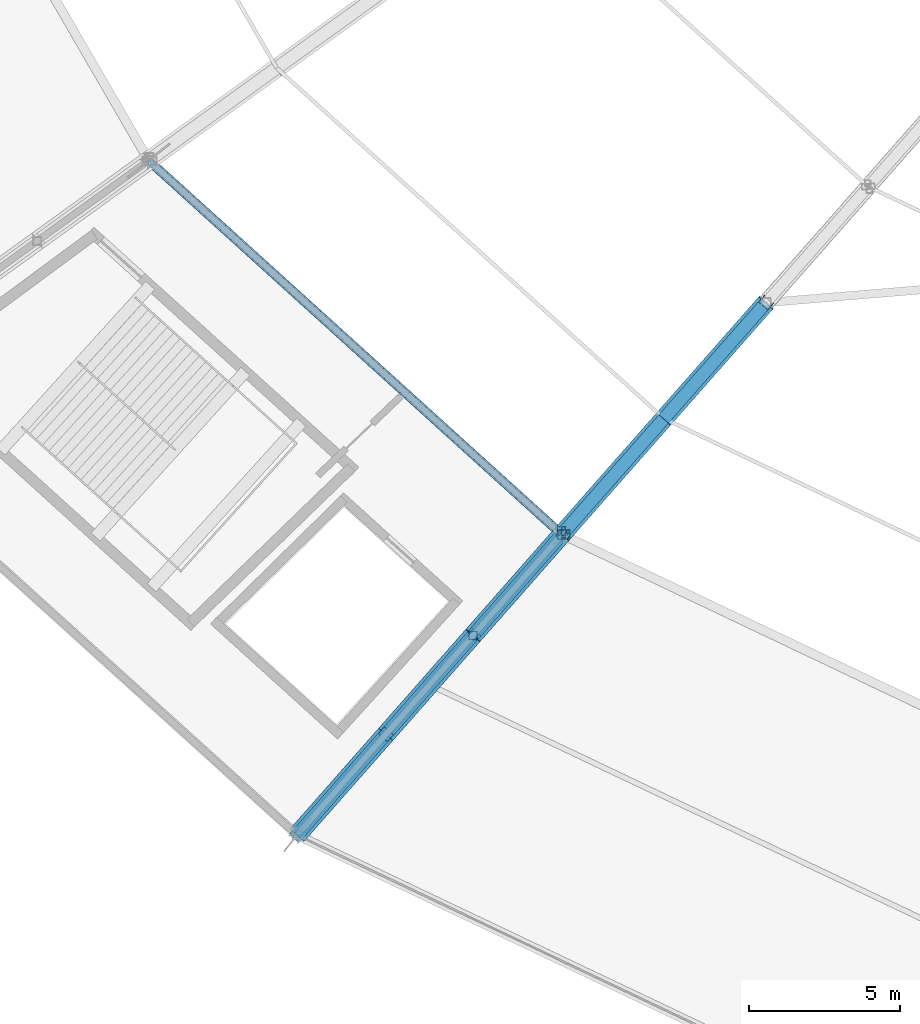
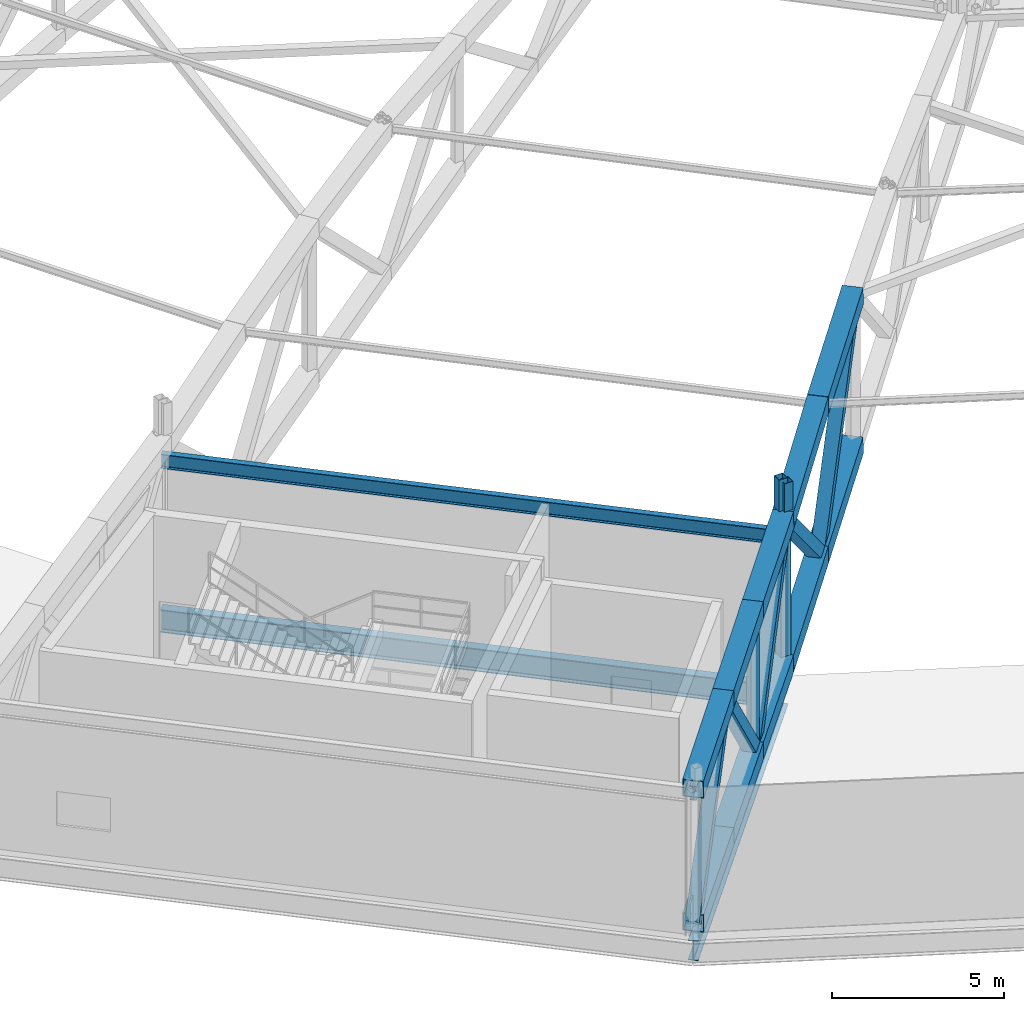
# One storey, part 17 of 162: 19 members, 4 beams.
"""IFC4 building model written with IfcOpenShell, lengths in metres."""

from ifc_helpers import new_model, si_unit, direction, frame, origin, origin_2d, place, context, subcontext, project, spatial, hollow_rectangle, i_section, extrude, material, material_profile, profile_set, type_object, element, save


model = new_model("IFC4")

# Units and contexts
model_context = context("Model", 3, precision=1e-05, world=origin(), true_north=direction((0.0, 1.0)))
body_context = subcontext(model_context, "Body", "Model", "MODEL_VIEW")
ifc_project = project(units=[si_unit("LENGTHUNIT", "METRE"), si_unit("AREAUNIT", "SQUARE_METRE"), si_unit("VOLUMEUNIT", "CUBIC_METRE"), si_unit("PLANEANGLEUNIT", "RADIAN"), si_unit("MASSUNIT", "GRAM", prefix="KILO")], contexts=[model_context])

# Site, building, storey
site_placement = place(None, origin())
site = spatial("IfcSite", under=ifc_project, at=site_placement, CompositionType="ELEMENT")
building_placement = place(site_placement, origin())
building = spatial("IfcBuilding", under=site, at=building_placement, Name="Kazemori Nagisa Stadium", CompositionType="ELEMENT")
storey_placement = place(building_placement, frame((0.0, 0.0, 36.719970703125)))
storey = spatial("IfcBuildingStorey", under=building, at=storey_placement, Name="RF", CompositionType="ELEMENT", Elevation=36.719970703125)

# Beams
ifc_material_1 = material(Name="Steel SN490B", Category="steel")
ifc_material_profile_1 = material_profile(ifc_material_1, i_section(OverallWidth=0.199951171875, OverallDepth=0.5, WebThickness=0.010009765625, FlangeThickness=0.01611328125, FilletRadius=0.012939453125, at=origin_2d()), Name="H-500x200x10x16")
ifc_profile_set_1 = profile_set([ifc_material_profile_1], Name="Steel SN490B")
beam_type_1 = type_object("IfcBeamType", Name="Beam_BG-H500", PredefinedType="BEAM", material=ifc_profile_set_1)
beam_1_placement = place(storey_placement, frame((55.493896484375, 53.265869140625, 4.93994140625), z_axis=(0.741349142139, -0.671119549298, 0.0), x_axis=(0.671119549298, 0.741349142139, 0.0)))
element("IfcBeam", 1, at=beam_1_placement, inside=storey, type_object=beam_type_1, Name="Headhouse roof beam BG-H500 B18-in", PredefinedType="BEAM", context=body_context, shape_type="SweptSolid", body=[
    extrude(i_section(OverallWidth=0.199951171875, OverallDepth=0.5, WebThickness=0.010009765625, FlangeThickness=0.01611328125, FilletRadius=0.012939453125, at=origin_2d()), origin(), (0.0, 0.0, 1.0), 18.44189453125),
])
beam_2_placement = place(storey_placement, frame((69.165771484375, 40.88916015625, 4.93994140625), z_axis=(-0.661019680997, -0.750368563664, 0.0), x_axis=(0.750368563664, -0.661019680997, 0.0)))
element("IfcBeam", 2, at=beam_2_placement, inside=storey, type_object=beam_type_1, Name="Headhouse roof beam BG-H500 B18-radR", PredefinedType="BEAM", context=body_context, shape_type="SweptSolid", body=[
    extrude(i_section(OverallWidth=0.199951171875, OverallDepth=0.5, WebThickness=0.010009765625, FlangeThickness=0.01611328125, FilletRadius=0.012939453125, at=origin_2d()), origin(), (0.0, 0.0, 1.0), 13.2578125),
])
ifc_material_profile_2 = material_profile(ifc_material_1, i_section(OverallWidth=0.300048828125, OverallDepth=0.699951171875, WebThickness=0.012939453125, FlangeThickness=0.02392578125, FilletRadius=0.01806640625, at=origin_2d()), Name="H-700x300x13x24")
ifc_profile_set_2 = profile_set([ifc_material_profile_2], Name="Steel SN490B")
beam_type_2 = type_object("IfcBeamType", Name="Beam_BG-H700", PredefinedType="BEAM", material=ifc_profile_set_2)
beam_3_placement = place(storey_placement, frame((69.165771484375, 40.88916015625, -0.6298828125), z_axis=(-0.661019680997, -0.750368563664, 0.0), x_axis=(0.750368563664, -0.661019680997, 0.0)))
element("IfcBeam", 3, at=beam_3_placement, inside=storey, type_object=beam_type_2, Name="Radial girder BG-H700 RF R2-R3-19", PredefinedType="BEAM", context=body_context, shape_type="SweptSolid", body=[
    extrude(i_section(OverallWidth=0.300048828125, OverallDepth=0.699951171875, WebThickness=0.012939453125, FlangeThickness=0.02392578125, FilletRadius=0.01806640625, at=origin_2d()), origin(), (0.0, 0.0, 1.0), 13.2578125),
])
ifc_material_profile_3 = material_profile(ifc_material_1, i_section(OverallWidth=0.300048828125, OverallDepth=0.800048828125, WebThickness=0.013916015625, FlangeThickness=0.02587890625, FilletRadius=0.01806640625, at=origin_2d()), Name="H-800x300x14x26")
ifc_profile_set_3 = profile_set([ifc_material_profile_3], Name="Steel SN490B")
beam_type_3 = type_object("IfcBeamType", Name="Beam_BG-H800", PredefinedType="BEAM", material=ifc_profile_set_3)
beam_4_placement = place(storey_placement, frame((55.493896484375, 53.265869140625, -0.679931640625), z_axis=(0.741349142139, -0.671119549298, 0.0), x_axis=(0.671119549298, 0.741349142139, 0.0)))
element("IfcBeam", 4, at=beam_4_placement, inside=storey, type_object=beam_type_3, Name="Ring girder BG-H800 RF R2-18", PredefinedType="BEAM", context=body_context, shape_type="SweptSolid", body=[
    extrude(i_section(OverallWidth=0.300048828125, OverallDepth=0.800048828125, WebThickness=0.013916015625, FlangeThickness=0.02587890625, FilletRadius=0.01806640625, at=origin_2d()), origin(), (0.0, 0.0, 1.0), 18.44189453125),
])

# Members
ifc_material_2 = material(Name="Steel STKR490", Category="steel")
ifc_material_profile_4 = material_profile(ifc_material_2, hollow_rectangle(XDim=0.280029296875, YDim=0.280029296875, WallThickness=0.010009765625, at=origin_2d()), Name="SHS-280x280x10")
ifc_profile_set_4 = profile_set([ifc_material_profile_4], Name="Steel STKR490")
member_type_1 = type_object("IfcMemberType", Name="Member_ST-SHS280", PredefinedType="STUD", material=ifc_profile_set_4)
member_1_placement = place(storey_placement, frame((69.154052734375, 41.0087890625, 5.56005859375), z_axis=(0.0, 0.0, 1.0), x_axis=(1.0, 0.0, 0.0)))
element("IfcMember", 5, at=member_1_placement, inside=storey, type_object=member_type_1, Name="Canopy bearing stool B18-mid-2", PredefinedType="STUD", context=body_context, shape_type="SweptSolid", body=[
    extrude(hollow_rectangle(XDim=0.280029296875, YDim=0.280029296875, WallThickness=0.010009765625, at=origin_2d()), origin(), (0.0, 0.0, 1.0), 1.427001953125),
])
member_2_placement = place(storey_placement, frame((69.2841796875, 40.90869140625, 5.56005859375), z_axis=(0.0, 0.0, 1.0), x_axis=(1.0, 0.0, 0.0)))
element("IfcMember", 6, at=member_2_placement, inside=storey, type_object=member_type_1, Name="Canopy bearing stool B19-mid-1", PredefinedType="STUD", context=body_context, shape_type="SweptSolid", body=[
    extrude(hollow_rectangle(XDim=0.280029296875, YDim=0.280029296875, WallThickness=0.010009765625, at=origin_2d()), origin(), (0.0, 0.0, 1.0), 1.31201171875),
])
ifc_material_profile_5 = material_profile(ifc_material_2, hollow_rectangle(XDim=0.419921875, YDim=0.419921875, WallThickness=0.01611328125, at=origin_2d()), Name="SHS-420x420x16")
ifc_profile_set_5 = profile_set([ifc_material_profile_5], Name="Steel STKR490")
member_type_2 = type_object("IfcMemberType", Name="Member_TB-SHS420", PredefinedType="BRACE", material=ifc_profile_set_5)
member_3_placement = place(storey_placement, frame((60.402099609375, 30.94091796875, 0.360107421875), z_axis=(0.444455255531, 0.50453471875, 0.740205541324), x_axis=(-0.750370654853, 0.661017307137, 0.0)))
element("IfcMember", 7, at=member_3_placement, inside=storey, type_object=member_type_2, Name="Roof space truss diagonal RT-19-1", PredefinedType="BRACE", context=body_context, shape_type="SweptSolid", body=[
    extrude(hollow_rectangle(XDim=0.419921875, YDim=0.419921875, WallThickness=0.01611328125, at=origin_2d()), origin(), (0.0, 0.0, 1.0), 6.61962890625),
])
member_4_placement = place(storey_placement, frame((63.34423828125, 34.28076171875, 5.260009765625), z_axis=(0.443198776891, 0.503136206867, -0.741908890297), x_axis=(-0.750388778691, 0.660996732832, 0.0)))
element("IfcMember", 8, at=member_4_placement, inside=storey, type_object=member_type_2, Name="Roof space truss diagonal RT-19-2", PredefinedType="BRACE", context=body_context, shape_type="SweptSolid", body=[
    extrude(hollow_rectangle(XDim=0.419921875, YDim=0.419921875, WallThickness=0.01611328125, at=origin_2d()), origin(), (0.0, 0.0, 1.0), 6.496826171875),
])
member_5_placement = place(storey_placement, frame((66.2236328125, 37.549560546875, 0.43994140625), z_axis=(0.43367823745, 0.492264924909, 0.754717450485), x_axis=(-0.750346686278, 0.661044514682, 0.0)))
element("IfcMember", 9, at=member_5_placement, inside=storey, type_object=member_type_2, Name="Roof space truss diagonal RT-19-3", PredefinedType="BRACE", context=body_context, shape_type="SweptSolid", body=[
    extrude(hollow_rectangle(XDim=0.419921875, YDim=0.419921875, WallThickness=0.01611328125, at=origin_2d()), origin(), (0.0, 0.0, 1.0), 6.7841796875),
])
member_6_placement = place(storey_placement, frame((69.165771484375, 40.88916015625, 5.56005859375), z_axis=(0.484885580838, 0.550442839781, -0.679631262987), x_axis=(-0.750378163683, 0.661008783201, 0.0)))
element("IfcMember", 10, at=member_6_placement, inside=storey, type_object=member_type_2, Name="Roof space truss diagonal RT-19-4", PredefinedType="BRACE", context=body_context, shape_type="SweptSolid", body=[
    extrude(hollow_rectangle(XDim=0.419921875, YDim=0.419921875, WallThickness=0.01611328125, at=origin_2d()), origin(), (0.0, 0.0, 1.0), 6.971435546875),
])
member_7_placement = place(storey_placement, frame((72.546142578125, 44.7265625, 0.822021484375), z_axis=(0.443510476123, 0.503478089796, 0.741490573551), x_axis=(-0.750380984059, 0.661005581491, 0.0)))
element("IfcMember", 11, at=member_7_placement, inside=storey, type_object=member_type_2, Name="Roof space truss diagonal RT-19-5", PredefinedType="BRACE", context=body_context, shape_type="SweptSolid", body=[
    extrude(hollow_rectangle(XDim=0.419921875, YDim=0.419921875, WallThickness=0.01611328125, at=origin_2d()), origin(), (0.0, 0.0, 1.0), 7.621337890625),
])
ifc_material_profile_6 = material_profile(ifc_material_2, hollow_rectangle(XDim=0.6201171875, YDim=0.6201171875, WallThickness=0.02197265625, at=origin_2d()), Name="SHS-620x620x22")
ifc_profile_set_6 = profile_set([ifc_material_profile_6], Name="Steel STKR490")
member_type_3 = type_object("IfcMemberType", Name="Member_TC-SHS620", PredefinedType="CHORD", material=ifc_profile_set_6)
member_8_placement = place(storey_placement, frame((60.402099609375, 30.94091796875, 5.10009765625), z_axis=(0.660591096065, 0.749886830484, 0.03590466915), x_axis=(-0.750370654853, 0.661017307137, 0.0)))
element("IfcMember", 12, at=member_8_placement, inside=storey, type_object=member_type_3, Name="Roof space truss top chord RT-19-1", PredefinedType="CHORD", context=body_context, shape_type="SweptSolid", body=[
    extrude(hollow_rectangle(XDim=0.6201171875, YDim=0.6201171875, WallThickness=0.02197265625, at=origin_2d()), origin(), (0.0, 0.0, 1.0), 4.453857421875),
])
member_9_placement = place(storey_placement, frame((60.402099609375, 30.94091796875, 0.360107421875), z_axis=(0.660990563304, 0.750340295908, 0.008995307641), x_axis=(-0.750370654853, 0.661017307137, 0.0)))
element("IfcMember", 13, at=member_9_placement, inside=storey, type_object=member_type_3, Name="Roof space truss bottom chord RT-19-1", PredefinedType="CHORD", context=body_context, shape_type="SweptSolid", body=[
    extrude(hollow_rectangle(XDim=0.6201171875, YDim=0.6201171875, WallThickness=0.02197265625, at=origin_2d()), origin(), (0.0, 0.0, 1.0), 4.451171875),
])
member_10_placement = place(storey_placement, frame((63.34423828125, 34.28076171875, 5.260009765625), z_axis=(0.660551804944, 0.749883679532, 0.036684876398), x_axis=(-0.750388778691, 0.660996732832, 0.0)))
element("IfcMember", 14, at=member_10_placement, inside=storey, type_object=member_type_3, Name="Roof space truss top chord RT-19-2", PredefinedType="CHORD", context=body_context, shape_type="SweptSolid", body=[
    extrude(hollow_rectangle(XDim=0.6201171875, YDim=0.6201171875, WallThickness=0.02197265625, at=origin_2d()), origin(), (0.0, 0.0, 1.0), 4.359130859375),
])
member_11_placement = place(storey_placement, frame((63.34423828125, 34.28076171875, 0.400146484375), z_axis=(0.660969152866, 0.750357468859, 0.009134981509), x_axis=(-0.750388778691, 0.660996732832, 0.0)))
element("IfcMember", 15, at=member_11_placement, inside=storey, type_object=member_type_3, Name="Roof space truss bottom chord RT-19-2", PredefinedType="CHORD", context=body_context, shape_type="SweptSolid", body=[
    extrude(hollow_rectangle(XDim=0.6201171875, YDim=0.6201171875, WallThickness=0.02197265625, at=origin_2d()), origin(), (0.0, 0.0, 1.0), 4.356201171875),
])
member_12_placement = place(storey_placement, frame((66.2236328125, 37.549560546875, 5.419921875), z_axis=(0.660717085813, 0.749975024217, 0.031470550764), x_axis=(-0.750346686278, 0.661044514682, 0.0)))
element("IfcMember", 16, at=member_12_placement, inside=storey, type_object=member_type_3, Name="Roof space truss top chord RT-19-3", PredefinedType="CHORD", context=body_context, shape_type="SweptSolid", body=[
    extrude(hollow_rectangle(XDim=0.6201171875, YDim=0.6201171875, WallThickness=0.02197265625, at=origin_2d()), origin(), (0.0, 0.0, 1.0), 4.452880859375),
])
member_13_placement = place(storey_placement, frame((66.2236328125, 37.549560546875, 0.43994140625), z_axis=(0.661017767546, 0.750316325804, 0.008995677859), x_axis=(-0.750346686278, 0.661044514682, 0.0)))
element("IfcMember", 17, at=member_13_placement, inside=storey, type_object=member_type_3, Name="Roof space truss bottom chord RT-19-3", PredefinedType="CHORD", context=body_context, shape_type="SweptSolid", body=[
    extrude(hollow_rectangle(XDim=0.6201171875, YDim=0.6201171875, WallThickness=0.02197265625, at=origin_2d()), origin(), (0.0, 0.0, 1.0), 4.450927734375),
])
member_14_placement = place(storey_placement, frame((69.165771484375, 40.88916015625, 5.56005859375), z_axis=(0.657124132228, 0.745968302063, 0.10825510224), x_axis=(-0.750378163683, 0.661008783201, 0.0)))
element("IfcMember", 18, at=member_14_placement, inside=storey, type_object=member_type_3, Name="Roof space truss top chord RT-19-4", PredefinedType="CHORD", context=body_context, shape_type="SweptSolid", body=[
    extrude(hollow_rectangle(XDim=0.6201171875, YDim=0.6201171875, WallThickness=0.02197265625, at=origin_2d()), origin(), (0.0, 0.0, 1.0), 5.144287109375),
])
member_15_placement = place(storey_placement, frame((69.165771484375, 40.88916015625, 0.47998046875), z_axis=(0.659535232118, 0.74870538628, 0.066734714733), x_axis=(-0.750378163683, 0.661008783201, 0.0)))
element("IfcMember", 19, at=member_15_placement, inside=storey, type_object=member_type_3, Name="Roof space truss bottom chord RT-19-4", PredefinedType="CHORD", context=body_context, shape_type="SweptSolid", body=[
    extrude(hollow_rectangle(XDim=0.6201171875, YDim=0.6201171875, WallThickness=0.02197265625, at=origin_2d()), origin(), (0.0, 0.0, 1.0), 5.12548828125),
])
member_16_placement = place(storey_placement, frame((72.546142578125, 44.7265625, 6.116943359375), z_axis=(0.659407742176, 0.748567098865, 0.069489049898), x_axis=(-0.750380984059, 0.661005581491, 0.0)))
element("IfcMember", 20, at=member_16_placement, inside=storey, type_object=member_type_3, Name="Roof space truss top chord RT-19-5", PredefinedType="CHORD", context=body_context, shape_type="SweptSolid", body=[
    extrude(hollow_rectangle(XDim=0.6201171875, YDim=0.6201171875, WallThickness=0.02197265625, at=origin_2d()), origin(), (0.0, 0.0, 1.0), 5.1259765625),
])
member_17_placement = place(storey_placement, frame((72.546142578125, 44.7265625, 0.822021484375), z_axis=(0.659346057677, 0.748497073926, 0.070816004895), x_axis=(-0.750380984059, 0.661005581491, 0.0)))
element("IfcMember", 21, at=member_17_placement, inside=storey, type_object=member_type_3, Name="Roof space truss bottom chord RT-19-5", PredefinedType="CHORD", context=body_context, shape_type="SweptSolid", body=[
    extrude(hollow_rectangle(XDim=0.6201171875, YDim=0.6201171875, WallThickness=0.02197265625, at=origin_2d()), origin(), (0.0, 0.0, 1.0), 5.12646484375),
])
ifc_material_profile_7 = material_profile(ifc_material_2, hollow_rectangle(XDim=0.280029296875, YDim=0.280029296875, WallThickness=0.010009765625, at=origin_2d()), Name="SHS-280x280x10")
ifc_profile_set_7 = profile_set([ifc_material_profile_7], Name="Steel STKR490")
member_type_4 = type_object("IfcMemberType", Name="Member_TS-SHS280", PredefinedType="STRUT", material=ifc_profile_set_7)
member_18_placement = place(storey_placement, frame((66.2236328125, 37.549560546875, 0.43994140625), z_axis=(0.0, 0.0, 1.0), x_axis=(1.0, 0.0, 0.0)))
element("IfcMember", 22, at=member_18_placement, inside=storey, type_object=member_type_4, Name="Roof space truss strut RT-19-3", PredefinedType="STRUT", context=body_context, shape_type="SweptSolid", body=[
    extrude(hollow_rectangle(XDim=0.280029296875, YDim=0.280029296875, WallThickness=0.010009765625, at=origin_2d()), origin(), (0.0, 0.0, 1.0), 4.97998046875),
])
ifc_material_profile_8 = material_profile(ifc_material_2, hollow_rectangle(XDim=0.320068359375, YDim=0.320068359375, WallThickness=0.011962890625, at=origin_2d()), Name="SHS-320x320x12")
ifc_profile_set_8 = profile_set([ifc_material_profile_8], Name="Steel STKR490")
member_type_5 = type_object("IfcMemberType", Name="Member_TS-SHS320", PredefinedType="STRUT", material=ifc_profile_set_8)
member_19_placement = place(storey_placement, frame((69.165771484375, 40.88916015625, 0.47998046875), z_axis=(0.0, 0.0, 1.0), x_axis=(1.0, 0.0, 0.0)))
element("IfcMember", 23, at=member_19_placement, inside=storey, type_object=member_type_5, Name="Roof space truss strut RT-19-4", PredefinedType="STRUT", context=body_context, shape_type="SweptSolid", body=[
    extrude(hollow_rectangle(XDim=0.320068359375, YDim=0.320068359375, WallThickness=0.011962890625, at=origin_2d()), origin(), (0.0, 0.0, 1.0), 5.080078125),
])

save(model, "model.ifc")
